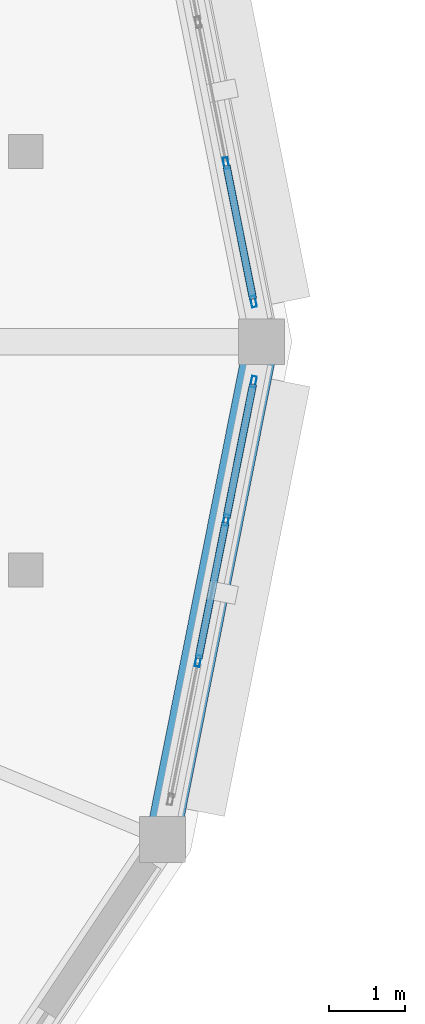
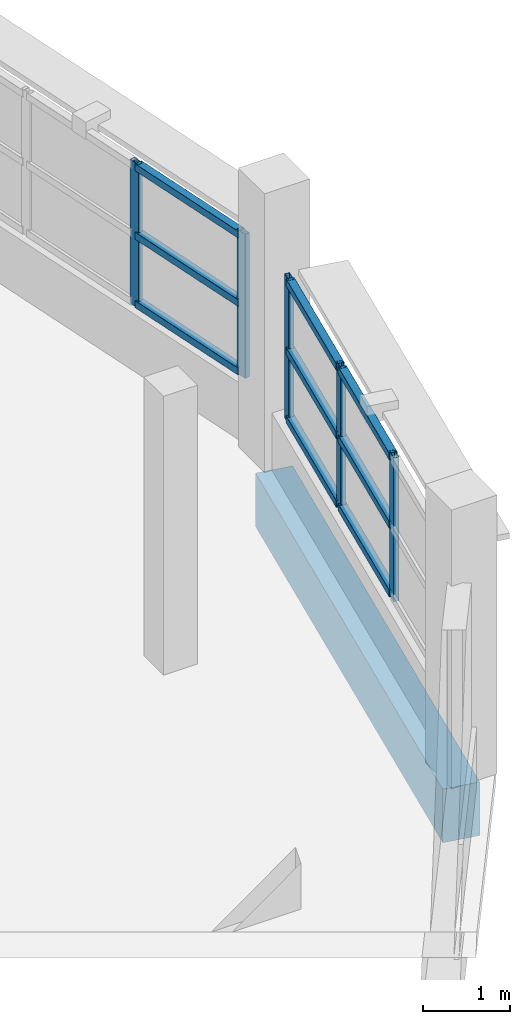
# One storey, part 74 of 121: 14 members, 1 beam, 2 elements without a shape of their own.
"""IFC4 building model written with IfcOpenShell, lengths in metres."""

from ifc_helpers import new_model, si_unit, direction, frame, origin, origin_2d, place, context, subcontext, project, spatial, rectangle, hollow_rectangle, extrude, material, layer, layer_set, material_profile, profile_set, type_object, element, aggregate, save


model = new_model("IFC4")

# Units and contexts
model_context = context("Model", 3, precision=1e-05, world=origin(), true_north=direction((0.0, 1.0)))
body_context = subcontext(model_context, "Body", "Model", "MODEL_VIEW")
ifc_project = project(units=[si_unit("LENGTHUNIT", "METRE"), si_unit("AREAUNIT", "SQUARE_METRE"), si_unit("VOLUMEUNIT", "CUBIC_METRE"), si_unit("PLANEANGLEUNIT", "RADIAN"), si_unit("MASSUNIT", "GRAM", prefix="KILO")], contexts=[model_context])

# Site, building, storey
site_placement = place(None, origin())
site = spatial("IfcSite", under=ifc_project, at=site_placement, CompositionType="ELEMENT")
building_placement = place(site_placement, origin())
building = spatial("IfcBuilding", under=site, at=building_placement, Name="Vespera Passage Community Centre", CompositionType="ELEMENT")
storey_placement = place(building_placement, frame((0.0, 0.0, 8.699951171875)))
storey = spatial("IfcBuildingStorey", under=building, at=storey_placement, Name="L02", CompositionType="ELEMENT", Elevation=8.699951171875)

# Beam
ifc_material_1 = material(Name="Concrete f'c 35 MPa", Category="concrete")
ifc_material_profile_1 = material_profile(ifc_material_1, rectangle(XDim=0.449951171875, YDim=0.75, at=origin_2d()), Name="RC450X750")
ifc_profile_set_1 = profile_set([ifc_material_profile_1], Name="Concrete f'c 35 MPa")
beam_type = type_object("IfcBeamType", Name="BM-SP-450X750E", PredefinedType="SPANDREL", material=ifc_profile_set_1)
beam_placement = place(storey_placement, frame((156.79833984375, 18.4560546875, -0.614990234375), z_axis=(0.195102743632, 0.980782809509, 0.0), x_axis=(-0.980782809509, 0.195102743632, 0.0)))
element("IfcBeam", 1, at=beam_placement, inside=storey, type_object=beam_type, Name="V3 L02 Spandrel 16", PredefinedType="SPANDREL", context=body_context, shape_type="SweptSolid", body=[
    extrude(rectangle(XDim=0.449951171875, YDim=0.75, at=origin_2d()), origin(), (0.0, 0.0, 1.0), 6.672119140625),
])

# Curtain wall, members
ifc_material_2 = material(Name="Anodized aluminium 6063-T6", Category="aluminium")
ifc_layer = layer(ifc_material_2, 0.159912109375)
ifc_layer_set = layer_set([ifc_layer], Name="Anodized aluminium 6063-T6")
curtain_wall_type = type_object("IfcCurtainWallType", Name="CW-108E", PredefinedType="NOTDEFINED", material=ifc_layer_set)
curtain_wall_1_placement = place(storey_placement, origin())
curtain_wall_1 = element("IfcCurtainWall", 2, at=curtain_wall_1_placement, inside=storey, type_object=curtain_wall_type, Name="Dining Drum Ribbon Curtain Wall L02.1", PredefinedType="NOTDEFINED")
ifc_material_3 = material(Name="Anodized aluminium 6063-T6", Category="aluminium")
ifc_material_profile_2 = material_profile(ifc_material_3, hollow_rectangle(XDim=0.06494140625, YDim=0.14990234375, WallThickness=0.00390625, InnerFilletRadius=0.001953125, OuterFilletRadius=0.00390625, at=origin_2d()), Name="ALU150X65X4")
ifc_profile_set_2 = profile_set([ifc_material_profile_2], Name="Anodized aluminium 6063-T6")
member_type_1 = type_object("IfcMemberType", Name="MB-CWM-150E", PredefinedType="MULLION", material=ifc_profile_set_2)
member_1_placement = place(storey_placement, frame((157.63330078125, 27.3466796875, 0.800048828125), z_axis=(0.0, 0.0, 1.0), x_axis=(0.980783996069, 0.195096778691, 0.0)))
member_1 = element("IfcMember", 3, at=member_1_placement, type_object=member_type_1, Name="CW-108E mullion 3", PredefinedType="MULLION", context=body_context, shape_type="SweptSolid", body=[
    extrude(hollow_rectangle(XDim=0.06494140625, YDim=0.14990234375, WallThickness=0.00390625, InnerFilletRadius=0.001953125, OuterFilletRadius=0.00390625, at=origin_2d()), origin(), (0.0, 0.0, 1.0), 2.014892578125),
])
member_2_placement = place(storey_placement, frame((157.994873046875, 25.528076171875, 0.800048828125), z_axis=(0.0, 0.0, 1.0), x_axis=(0.980783996069, 0.195096778691, 0.0)))
member_2 = element("IfcMember", 4, at=member_2_placement, type_object=member_type_1, Name="CW-108E mullion 4", PredefinedType="MULLION", context=body_context, shape_type="SweptSolid", body=[
    extrude(hollow_rectangle(XDim=0.06494140625, YDim=0.14990234375, WallThickness=0.00390625, InnerFilletRadius=0.001953125, OuterFilletRadius=0.00390625, at=origin_2d()), origin(), (0.0, 0.0, 1.0), 2.014892578125),
])

curtain_wall_2_placement = place(storey_placement, origin())
curtain_wall_2 = element("IfcCurtainWall", 5, at=curtain_wall_2_placement, inside=storey, type_object=curtain_wall_type, Name="Dining Drum Ribbon Curtain Wall L02.16", PredefinedType="NOTDEFINED")
member_3_placement = place(storey_placement, frame((157.994873046875, 24.471923828125, 0.800048828125), z_axis=(0.0, 0.0, 1.0), x_axis=(0.980783996069, -0.195096778691, 0.0)))
member_3 = element("IfcMember", 6, at=member_3_placement, type_object=member_type_1, Name="CW-108E mullion 1", PredefinedType="MULLION", context=body_context, shape_type="SweptSolid", body=[
    extrude(hollow_rectangle(XDim=0.06494140625, YDim=0.14990234375, WallThickness=0.00390625, InnerFilletRadius=0.001953125, OuterFilletRadius=0.00390625, at=origin_2d()), origin(), (0.0, 0.0, 1.0), 2.014892578125),
])
member_4_placement = place(storey_placement, frame((157.63330078125, 22.6533203125, 0.800048828125), z_axis=(0.0, 0.0, 1.0), x_axis=(0.980783996069, -0.195096778691, 0.0)))
member_4 = element("IfcMember", 7, at=member_4_placement, type_object=member_type_1, Name="CW-108E mullion 2", PredefinedType="MULLION", context=body_context, shape_type="SweptSolid", body=[
    extrude(hollow_rectangle(XDim=0.06494140625, YDim=0.14990234375, WallThickness=0.00390625, InnerFilletRadius=0.001953125, OuterFilletRadius=0.00390625, at=origin_2d()), origin(), (0.0, 0.0, 1.0), 2.014892578125),
])
member_5_placement = place(storey_placement, frame((157.26513671875, 20.802734375, 0.800048828125), z_axis=(0.0, 0.0, 1.0), x_axis=(0.980783996069, -0.195096778691, 0.0)))
member_5 = element("IfcMember", 8, at=member_5_placement, type_object=member_type_1, Name="CW-108E mullion 3", PredefinedType="MULLION", context=body_context, shape_type="SweptSolid", body=[
    extrude(hollow_rectangle(XDim=0.06494140625, YDim=0.14990234375, WallThickness=0.00390625, InnerFilletRadius=0.001953125, OuterFilletRadius=0.00390625, at=origin_2d()), origin(), (0.0, 0.0, 1.0), 2.014892578125),
])

# Member
ifc_material_4 = material(Name="Anodized aluminium 6063-T6", Category="aluminium")
ifc_material_profile_3 = material_profile(ifc_material_4, hollow_rectangle(XDim=0.10009765625, YDim=0.10009765625, WallThickness=0.00390625, InnerFilletRadius=0.001953125, OuterFilletRadius=0.00390625, at=origin_2d()), Name="ALU100X100X4")
ifc_profile_set_3 = profile_set([ifc_material_profile_3], Name="Anodized aluminium 6063-T6")
member_type_2 = type_object("IfcMemberType", Name="MB-CWT-100E", PredefinedType="USERDEFINED", material=ifc_profile_set_3)
member_6_placement = place(storey_placement, frame((157.6396484375, 27.31494140625, 0.85009765625), z_axis=(0.194987665203, -0.980805694528, 0.0), x_axis=(0.980805694528, 0.194987665203, 0.0)))
member_6 = element("IfcMember", 9, at=member_6_placement, type_object=member_type_2, Name="CW-108E transom 3.1", ObjectType="TRANSOM", PredefinedType="USERDEFINED", context=body_context, shape_type="SweptSolid", body=[
    extrude(hollow_rectangle(XDim=0.10009765625, YDim=0.10009765625, WallThickness=0.00390625, InnerFilletRadius=0.001953125, OuterFilletRadius=0.00390625, at=origin_2d()), origin(), (0.0, 0.0, 1.0), 1.789306640625),
])

member_7_placement = place(storey_placement, frame((157.6396484375, 27.31494140625, 1.8076171875), z_axis=(0.194987665203, -0.980805694528, 0.0), x_axis=(0.980805694528, 0.194987665203, 0.0)))
member_7 = element("IfcMember", 10, at=member_7_placement, type_object=member_type_2, Name="CW-108E transom 3.2", ObjectType="TRANSOM", PredefinedType="USERDEFINED", context=body_context, shape_type="SweptSolid", body=[
    extrude(hollow_rectangle(XDim=0.10009765625, YDim=0.10009765625, WallThickness=0.00390625, InnerFilletRadius=0.001953125, OuterFilletRadius=0.00390625, at=origin_2d()), origin(), (0.0, 0.0, 1.0), 1.789306640625),
])

member_8_placement = place(storey_placement, frame((157.6396484375, 27.31494140625, 2.76513671875), z_axis=(0.194987665203, -0.980805694528, 0.0), x_axis=(0.980805694528, 0.194987665203, 0.0)))
member_8 = element("IfcMember", 11, at=member_8_placement, type_object=member_type_2, Name="CW-108E transom 3.3", ObjectType="TRANSOM", PredefinedType="USERDEFINED", context=body_context, shape_type="SweptSolid", body=[
    extrude(hollow_rectangle(XDim=0.10009765625, YDim=0.10009765625, WallThickness=0.00390625, InnerFilletRadius=0.001953125, OuterFilletRadius=0.00390625, at=origin_2d()), origin(), (0.0, 0.0, 1.0), 1.789306640625),
])

aggregate(curtain_wall_1, [member_1, member_2, member_6, member_7, member_8])

member_9_placement = place(storey_placement, frame((157.988525390625, 24.43994140625, 0.85009765625), z_axis=(-0.194987665203, -0.980805694528, 0.0), x_axis=(0.980805694528, -0.194987665203, 0.0)))
member_9 = element("IfcMember", 12, at=member_9_placement, type_object=member_type_2, Name="CW-108E transom 1.1", ObjectType="TRANSOM", PredefinedType="USERDEFINED", context=body_context, shape_type="SweptSolid", body=[
    extrude(hollow_rectangle(XDim=0.10009765625, YDim=0.10009765625, WallThickness=0.00390625, InnerFilletRadius=0.001953125, OuterFilletRadius=0.00390625, at=origin_2d()), origin(), (0.0, 0.0, 1.0), 1.789306640625),
])

member_10_placement = place(storey_placement, frame((157.988525390625, 24.43994140625, 1.8076171875), z_axis=(-0.194987665203, -0.980805694528, 0.0), x_axis=(0.980805694528, -0.194987665203, 0.0)))
member_10 = element("IfcMember", 13, at=member_10_placement, type_object=member_type_2, Name="CW-108E transom 1.2", ObjectType="TRANSOM", PredefinedType="USERDEFINED", context=body_context, shape_type="SweptSolid", body=[
    extrude(hollow_rectangle(XDim=0.10009765625, YDim=0.10009765625, WallThickness=0.00390625, InnerFilletRadius=0.001953125, OuterFilletRadius=0.00390625, at=origin_2d()), origin(), (0.0, 0.0, 1.0), 1.789306640625),
])

member_11_placement = place(storey_placement, frame((157.988525390625, 24.43994140625, 2.76513671875), z_axis=(-0.194987665203, -0.980805694528, 0.0), x_axis=(0.980805694528, -0.194987665203, 0.0)))
member_11 = element("IfcMember", 14, at=member_11_placement, type_object=member_type_2, Name="CW-108E transom 1.3", ObjectType="TRANSOM", PredefinedType="USERDEFINED", context=body_context, shape_type="SweptSolid", body=[
    extrude(hollow_rectangle(XDim=0.10009765625, YDim=0.10009765625, WallThickness=0.00390625, InnerFilletRadius=0.001953125, OuterFilletRadius=0.00390625, at=origin_2d()), origin(), (0.0, 0.0, 1.0), 1.789306640625),
])

member_12_placement = place(storey_placement, frame((157.626953125, 22.621337890625, 0.85009765625), z_axis=(-0.195136642714, -0.980776065507, 0.0), x_axis=(0.980776065507, -0.195136642714, 0.0)))
member_12 = element("IfcMember", 15, at=member_12_placement, type_object=member_type_2, Name="CW-108E transom 2.1", ObjectType="TRANSOM", PredefinedType="USERDEFINED", context=body_context, shape_type="SweptSolid", body=[
    extrude(hollow_rectangle(XDim=0.10009765625, YDim=0.10009765625, WallThickness=0.00390625, InnerFilletRadius=0.001953125, OuterFilletRadius=0.00390625, at=origin_2d()), origin(), (0.0, 0.0, 1.0), 1.821533203125),
])

member_13_placement = place(storey_placement, frame((157.626953125, 22.621337890625, 1.8076171875), z_axis=(-0.195136642714, -0.980776065507, 0.0), x_axis=(0.980776065507, -0.195136642714, 0.0)))
member_13 = element("IfcMember", 16, at=member_13_placement, type_object=member_type_2, Name="CW-108E transom 2.2", ObjectType="TRANSOM", PredefinedType="USERDEFINED", context=body_context, shape_type="SweptSolid", body=[
    extrude(hollow_rectangle(XDim=0.10009765625, YDim=0.10009765625, WallThickness=0.00390625, InnerFilletRadius=0.001953125, OuterFilletRadius=0.00390625, at=origin_2d()), origin(), (0.0, 0.0, 1.0), 1.821533203125),
])

member_14_placement = place(storey_placement, frame((157.626953125, 22.621337890625, 2.76513671875), z_axis=(-0.195136642714, -0.980776065507, 0.0), x_axis=(0.980776065507, -0.195136642714, 0.0)))
member_14 = element("IfcMember", 17, at=member_14_placement, type_object=member_type_2, Name="CW-108E transom 2.3", ObjectType="TRANSOM", PredefinedType="USERDEFINED", context=body_context, shape_type="SweptSolid", body=[
    extrude(hollow_rectangle(XDim=0.10009765625, YDim=0.10009765625, WallThickness=0.00390625, InnerFilletRadius=0.001953125, OuterFilletRadius=0.00390625, at=origin_2d()), origin(), (0.0, 0.0, 1.0), 1.821533203125),
])

aggregate(curtain_wall_2, [member_3, member_4, member_5, member_9, member_10, member_11, member_12, member_13, member_14])

save(model, "model.ifc")
